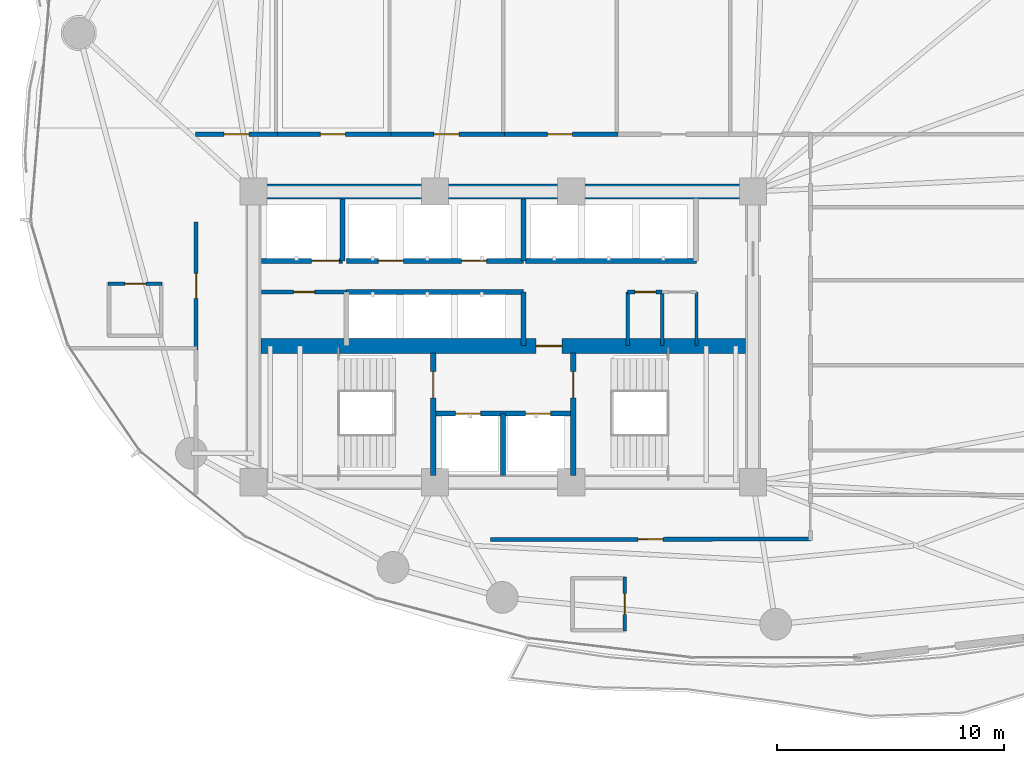
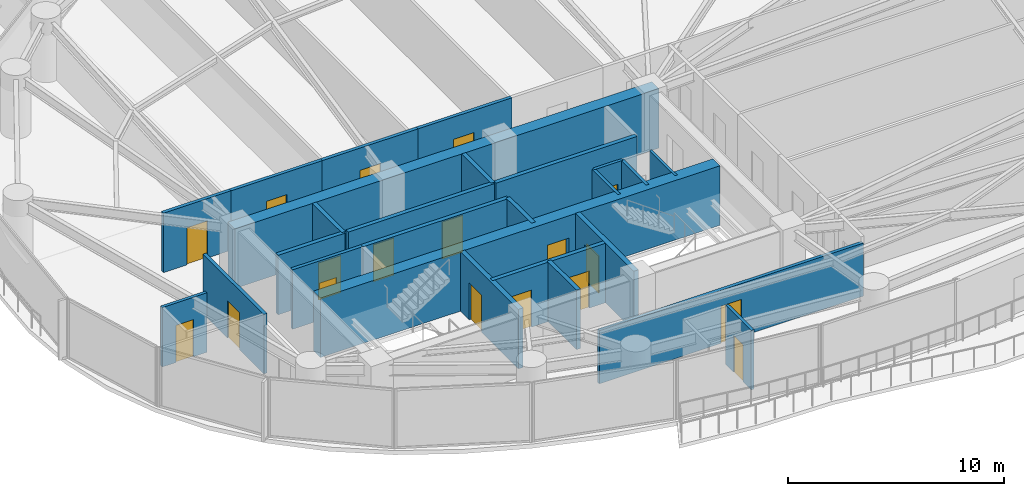
# One storey, part 25 of 30: 26 walls, 18 doors, 18 openings.
"""IFC4 building model written with IfcOpenShell, lengths in metres."""

from ifc_helpers import new_model, si_unit, direction, frame, frame_2d, origin, place, context, subcontext, project, spatial, rectangle, extrude, material, layer, layer_set, type_object, element, fill, save


model = new_model("IFC4")

# Units and contexts
model_context = context("Model", 3, precision=1e-05, world=origin(), true_north=direction((0.0, 1.0)))
body_context = subcontext(model_context, "Body", "Model", "MODEL_VIEW")
ifc_project = project(units=[si_unit("LENGTHUNIT", "METRE"), si_unit("AREAUNIT", "SQUARE_METRE"), si_unit("VOLUMEUNIT", "CUBIC_METRE"), si_unit("PLANEANGLEUNIT", "RADIAN"), si_unit("MASSUNIT", "GRAM", prefix="KILO")], contexts=[model_context])

# Site, building, storey
site_placement = place(None, origin())
site = spatial("IfcSite", under=ifc_project, at=site_placement, CompositionType="ELEMENT")
building_placement = place(site_placement, origin())
building = spatial("IfcBuilding", under=site, at=building_placement, Name="Kazevale Care Tower and Concert Hall", CompositionType="ELEMENT")
storey_placement = place(building_placement, frame((0.0, 0.0, 70.800048828125)))
storey = spatial("IfcBuildingStorey", under=building, at=storey_placement, Name="L18", CompositionType="ELEMENT", Elevation=70.800048828125)

# Walls
ifc_material_1 = material(Name="Acoustic Gypsum on Steel Stud", Category="steel")
ifc_layer_1 = layer(ifc_material_1, 0.139892578125)
ifc_layer_set_1 = layer_set([ifc_layer_1], Name="Acoustic Gypsum on Steel Stud")
wall_type_1 = type_object("IfcWallType", Name="Acoustic Care & Suite Partition 140", PredefinedType="PARTITIONING", material=ifc_layer_set_1)
wall_1_placement = place(storey_placement, frame((41.52001953125, 29.6201171875, 0.0), z_axis=(0.0, 0.0, 1.0), x_axis=(0.0, 1.0, 0.0)))
element("IfcWall", 1, at=wall_1_placement, inside=storey, type_object=wall_type_1, Name="wall:L18:ka_ee", PredefinedType="PARTITIONING", context=body_context, shape_type="SweptSolid", body=[
    extrude(rectangle(XDim=2.35986328125, YDim=0.139892578125, at=frame_2d((1.179931640625, 0.0))), origin(), (0.0, 0.0, 1.0), 3.35986328125),
])
ifc_material_2 = material(Name="Concrete C70", Category="concrete")
ifc_layer_2 = layer(ifc_material_2, 0.64990234375)
ifc_layer_set_2 = layer_set([ifc_layer_2], Name="Concrete C70")
wall_type_2 = type_object("IfcWallType", Name="Core Shear Wall 650 C70", PredefinedType="SHEAR", material=ifc_layer_set_2)
wall_2_placement = place(storey_placement, frame((21.675048828125, 36.39990234375, 0.0), z_axis=(0.0, 0.0, 1.0), x_axis=(1.0, 0.0, 0.0)))
element("IfcWall", 2, at=wall_2_placement, inside=storey, type_object=wall_type_2, Name="wall:L18:core:N", PredefinedType="SHEAR", context=body_context, shape_type="SweptSolid", body=[
    extrude(rectangle(XDim=22.64990234375, YDim=0.64990234375, at=frame_2d((11.324951171875, 0.0))), origin(), (0.0, 0.0, 1.0), 3.35986328125),
])

# Wall, opening, door
wall_3_placement = place(storey_placement, frame((22.324951171875, 29.60009765625, 0.0), z_axis=(0.0, 0.0, 1.0), x_axis=(1.0, 0.0, 0.0)))
wall_3 = element("IfcWall", 3, at=wall_3_placement, inside=storey, type_object=wall_type_2, Name="wall:L18:core:M", PredefinedType="SHEAR", context=body_context, shape_type="SweptSolid", body=[
    extrude(rectangle(XDim=21.35009765625, YDim=0.64990234375, at=frame_2d((10.675048828125, 0.0))), origin(), (0.0, 0.0, 1.0), 3.35986328125),
])
opening_1_placement = place(wall_3_placement, frame((12.125, 0.0, 0.0)))
opening_1 = element("IfcOpeningElement", 4, at=opening_1_placement, cuts=wall_3, Name="Opening FD-90", PredefinedType="OPENING", context=body_context, shape_type="SweptSolid", body=[
    extrude(rectangle(XDim=1.14990234375, YDim=2.10009765625, at=frame_2d((0.574951171875, 1.050048828125))), frame((0.0, 0.3349609375, 0.0), z_axis=(0.0, -1.0, 0.0), x_axis=(1.0, 0.0, 0.0)), (0.0, 0.0, 1.0), 0.669921875),
])
ifc_material_3 = material(Name="Steel ASTM A572 Gr 50", Category="steel")
door_type_1 = type_object("IfcDoorType", Name="Pressurized Stair & Lobby Fire Door 1150x2100", OperationType="NOTDEFINED", PredefinedType="DOOR", material=ifc_material_3)
door_1_placement = place(opening_1_placement, origin())
door_1 = element("IfcDoor", 5, at=door_1_placement, inside=storey, type_object=door_type_1, Name="door:L18:ff_to_pax", OperationType="SINGLE_SWING_LEFT", OverallHeight=2.10009765625, OverallWidth=1.14990234375, PredefinedType="DOOR", context=body_context, shape_type="SweptSolid", body=[
    extrude(rectangle(XDim=1.14990234375, YDim=2.10009765625, at=frame_2d((0.574951171875, 1.050048828125))), frame((0.0, 0.02490234375, 0.0), z_axis=(0.0, -1.0, 0.0), x_axis=(1.0, 0.0, 0.0)), (0.0, 0.0, 1.0), 0.050048828125),
])
fill(opening_1, door_1)

# Wall, openings, doors
ifc_material_4 = material(Name="Concrete C40", Category="concrete")
ifc_layer_3 = layer(ifc_material_4, 0.219970703125)
ifc_layer_set_3 = layer_set([ifc_layer_3], Name="Concrete C40")
wall_type_3 = type_object("IfcWallType", Name="Elevator Hoistway Shaft Wall 220", PredefinedType="SOLIDWALL", material=ifc_layer_set_3)
wall_4_placement = place(storey_placement, frame((29.919921875, 26.6201171875, 0.0), z_axis=(0.0, 0.0, 1.0), x_axis=(1.0, 0.0, 0.0)))
wall_4 = element("IfcWall", 6, at=wall_4_placement, inside=storey, type_object=wall_type_3, Name="wall:L18:c_ffl_n", PredefinedType="SOLIDWALL", context=body_context, shape_type="SweptSolid", body=[
    extrude(rectangle(XDim=6.16015625, YDim=0.219970703125, at=frame_2d((3.080078125, 0.0))), origin(), (0.0, 0.0, 1.0), 3.35986328125),
])
opening_2_placement = place(wall_4_placement, frame((0.989990234375, 0.0, 0.0)))
opening_2 = element("IfcOpeningElement", 7, at=opening_2_placement, cuts=wall_4, Name="Opening LD-FF", PredefinedType="OPENING", context=body_context, shape_type="SweptSolid", body=[
    extrude(rectangle(XDim=1.10009765625, YDim=2.10009765625, at=frame_2d((0.550048828125, 1.050048828125))), frame((0.0, 0.119873046875, 0.0), z_axis=(0.0, -1.0, 0.0), x_axis=(1.0, 0.0, 0.0)), (0.0, 0.0, 1.0), 0.239990234375),
])
opening_3_placement = place(wall_4_placement, frame((4.070068359375, 0.0, 0.0)))
opening_3 = element("IfcOpeningElement", 8, at=opening_3_placement, cuts=wall_4, Name="Opening LD-FF", PredefinedType="OPENING", context=body_context, shape_type="SweptSolid", body=[
    extrude(rectangle(XDim=1.10009765625, YDim=2.10009765625, at=frame_2d((0.550048828125, 1.050048828125))), frame((0.0, 0.119873046875, 0.0), z_axis=(0.0, -1.0, 0.0), x_axis=(1.0, 0.0, 0.0)), (0.0, 0.0, 1.0), 0.239990234375),
])
ifc_material_5 = material(Name="Stainless Steel 316", Category="steel")
door_type_2 = type_object("IfcDoorType", Name="Emergency Lift Sliding Landing Door 1100x2100", OperationType="NOTDEFINED", PredefinedType="DOOR", material=ifc_material_5)
door_2_placement = place(opening_2_placement, origin())
door_2 = element("IfcDoor", 9, at=door_2_placement, inside=storey, type_object=door_type_2, Name="door:L18:ld_ffl1", OperationType="SLIDING_TO_LEFT", OverallHeight=2.10009765625, OverallWidth=1.10009765625, PredefinedType="DOOR", context=body_context, shape_type="SweptSolid", body=[
    extrude(rectangle(XDim=1.10009765625, YDim=2.10009765625, at=frame_2d((0.550048828125, 1.050048828125))), frame((0.0, 0.02490234375, 0.0), z_axis=(0.0, -1.0, 0.0), x_axis=(1.0, 0.0, 0.0)), (0.0, 0.0, 1.0), 0.050048828125),
])
fill(opening_2, door_2)
door_3_placement = place(opening_3_placement, origin())
door_3 = element("IfcDoor", 10, at=door_3_placement, inside=storey, type_object=door_type_2, Name="door:L18:ld_ffl2", OperationType="SLIDING_TO_RIGHT", OverallHeight=2.10009765625, OverallWidth=1.10009765625, PredefinedType="DOOR", context=body_context, shape_type="SweptSolid", body=[
    extrude(rectangle(XDim=1.10009765625, YDim=2.10009765625, at=frame_2d((0.550048828125, 1.050048828125))), frame((0.0, 0.02490234375, 0.0), z_axis=(0.0, -1.0, 0.0), x_axis=(1.0, 0.0, 0.0)), (0.0, 0.0, 1.0), 0.050048828125),
])
fill(opening_3, door_3)

# Walls
wall_5_placement = place(storey_placement, frame((33.0, 23.89990234375, 0.0), z_axis=(0.0, 0.0, 1.0), x_axis=(0.0, 1.0, 0.0)))
element("IfcWall", 11, at=wall_5_placement, inside=storey, type_object=wall_type_3, Name="wall:L18:c_ffl_m", PredefinedType="SOLIDWALL", context=body_context, shape_type="SweptSolid", body=[
    extrude(rectangle(XDim=2.72021484375, YDim=0.219970703125, at=frame_2d((1.360107421875, 0.0))), origin(), (0.0, 0.0, 1.0), 3.35986328125),
])
wall_6_placement = place(storey_placement, frame((25.919921875, 33.35009765625, 0.0), z_axis=(0.0, 0.0, 1.0), x_axis=(0.0, 1.0, 0.0)))
element("IfcWall", 12, at=wall_6_placement, inside=storey, type_object=wall_type_3, Name="wall:L18:c_svl_e", PredefinedType="SOLIDWALL", context=body_context, shape_type="SweptSolid", body=[
    extrude(rectangle(XDim=2.72998046875, YDim=0.219970703125, at=frame_2d((1.364990234375, 0.0))), origin(), (0.0, 0.0, 1.0), 3.35986328125),
])

# Wall, opening, door
wall_7_placement = place(storey_placement, frame((22.35009765625, 33.35009765625, 0.0), z_axis=(0.0, 0.0, 1.0), x_axis=(1.0, 0.0, 0.0)))
wall_7 = element("IfcWall", 13, at=wall_7_placement, inside=storey, type_object=wall_type_3, Name="wall:L18:c_svl_s", PredefinedType="SOLIDWALL", context=body_context, shape_type="SweptSolid", body=[
    extrude(rectangle(XDim=3.56982421875, YDim=0.219970703125, at=frame_2d((1.784912109375, 0.0))), origin(), (0.0, 0.0, 1.0), 3.35986328125),
])
opening_4_placement = place(wall_7_placement, frame((2.212890625, 0.0, 0.0)))
opening_4 = element("IfcOpeningElement", 14, at=opening_4_placement, cuts=wall_7, Name="Opening LD-SV", PredefinedType="OPENING", context=body_context, shape_type="SweptSolid", body=[
    extrude(rectangle(XDim=1.199951171875, YDim=2.10009765625, at=frame_2d((0.60009765625, 1.050048828125))), frame((0.0, 0.119873046875, 0.0), z_axis=(0.0, -1.0, 0.0), x_axis=(1.0, 0.0, 0.0)), (0.0, 0.0, 1.0), 0.239990234375),
])
door_type_3 = type_object("IfcDoorType", Name="Service Lift Sliding Landing Door 1200x2100", OperationType="NOTDEFINED", PredefinedType="DOOR", material=ifc_material_5)
door_4_placement = place(opening_4_placement, origin())
door_4 = element("IfcDoor", 15, at=door_4_placement, inside=storey, type_object=door_type_3, Name="door:L18:ld_svl1", OperationType="SLIDING_TO_LEFT", OverallHeight=2.10009765625, OverallWidth=1.199951171875, PredefinedType="DOOR", context=body_context, shape_type="SweptSolid", body=[
    extrude(rectangle(XDim=1.199951171875, YDim=2.10009765625, at=frame_2d((0.60009765625, 1.050048828125))), frame((0.0, 0.02490234375, 0.0), z_axis=(0.0, -1.0, 0.0), x_axis=(1.0, 0.0, 0.0)), (0.0, 0.0, 1.0), 0.050048828125),
])
fill(opening_4, door_4)

# Walls
wall_8_placement = place(storey_placement, frame((26.10009765625, 31.97998046875, 0.0), z_axis=(0.0, 0.0, 1.0), x_axis=(1.0, 0.0, 0.0)))
element("IfcWall", 16, at=wall_8_placement, inside=storey, type_object=wall_type_3, Name="wall:L18:c_ph_n", PredefinedType="SOLIDWALL", context=body_context, shape_type="SweptSolid", body=[
    extrude(rectangle(XDim=7.7998046875, YDim=0.219970703125, at=frame_2d((3.89990234375, 0.0))), origin(), (0.0, 0.0, 1.0), 3.35986328125),
])
wall_9_placement = place(storey_placement, frame((33.89990234375, 29.6201171875, 0.0), z_axis=(0.0, 0.0, 1.0), x_axis=(0.0, 1.0, 0.0)))
element("IfcWall", 17, at=wall_9_placement, inside=storey, type_object=wall_type_3, Name="wall:L18:c_ph_e", PredefinedType="SOLIDWALL", context=body_context, shape_type="SweptSolid", body=[
    extrude(rectangle(XDim=2.35986328125, YDim=0.219970703125, at=frame_2d((1.179931640625, 0.0))), origin(), (0.0, 0.0, 1.0), 3.35986328125),
])

# Wall, openings, doors
wall_10_placement = place(storey_placement, frame((26.10009765625, 33.35009765625, 0.0), z_axis=(0.0, 0.0, 1.0), x_axis=(1.0, 0.0, 0.0)))
wall_10 = element("IfcWall", 18, at=wall_10_placement, inside=storey, type_object=wall_type_3, Name="wall:L18:c_pl_s", PredefinedType="SOLIDWALL", context=body_context, shape_type="SweptSolid", body=[
    extrude(rectangle(XDim=7.7998046875, YDim=0.219970703125, at=frame_2d((3.89990234375, 0.0))), origin(), (0.0, 0.0, 1.0), 3.35986328125),
])
opening_5_placement = place(wall_10_placement, frame((1.39990234375, 0.0, 0.0)))
opening_5 = element("IfcOpeningElement", 19, at=opening_5_placement, cuts=wall_10, Name="Opening LD-PAX", PredefinedType="OPENING", context=body_context, shape_type="SweptSolid", body=[
    extrude(rectangle(XDim=1.10009765625, YDim=2.10009765625, at=frame_2d((0.550048828125, 1.050048828125))), frame((0.0, 0.119873046875, 0.0), z_axis=(0.0, -1.0, 0.0), x_axis=(1.0, 0.0, 0.0)), (0.0, 0.0, 1.0), 0.239990234375),
])
opening_6_placement = place(wall_10_placement, frame((5.06591796875, 0.0, 0.0)))
opening_6 = element("IfcOpeningElement", 20, at=opening_6_placement, cuts=wall_10, Name="Opening LD-PAX", PredefinedType="OPENING", context=body_context, shape_type="SweptSolid", body=[
    extrude(rectangle(XDim=1.10009765625, YDim=2.10009765625, at=frame_2d((0.550048828125, 1.050048828125))), frame((0.0, 0.119873046875, 0.0), z_axis=(0.0, -1.0, 0.0), x_axis=(1.0, 0.0, 0.0)), (0.0, 0.0, 1.0), 0.239990234375),
])
door_type_4 = type_object("IfcDoorType", Name="Passenger Lift Sliding Landing Door 1100x2100", OperationType="NOTDEFINED", PredefinedType="DOOR", material=ifc_material_5)
door_5_placement = place(opening_5_placement, origin())
door_5 = element("IfcDoor", 21, at=door_5_placement, inside=storey, type_object=door_type_4, Name="door:L18:ld_pl1", OperationType="SLIDING_TO_LEFT", OverallHeight=2.10009765625, OverallWidth=1.10009765625, PredefinedType="DOOR", context=body_context, shape_type="SweptSolid", body=[
    extrude(rectangle(XDim=1.10009765625, YDim=2.10009765625, at=frame_2d((0.550048828125, 1.050048828125))), frame((0.0, 0.02490234375, 0.0), z_axis=(0.0, -1.0, 0.0), x_axis=(1.0, 0.0, 0.0)), (0.0, 0.0, 1.0), 0.050048828125),
])
fill(opening_5, door_5)
door_6_placement = place(opening_6_placement, origin())
door_6 = element("IfcDoor", 22, at=door_6_placement, inside=storey, type_object=door_type_4, Name="door:L18:ld_pl2", OperationType="SLIDING_TO_RIGHT", OverallHeight=2.10009765625, OverallWidth=1.10009765625, PredefinedType="DOOR", context=body_context, shape_type="SweptSolid", body=[
    extrude(rectangle(XDim=1.10009765625, YDim=2.10009765625, at=frame_2d((0.550048828125, 1.050048828125))), frame((0.0, 0.02490234375, 0.0), z_axis=(0.0, -1.0, 0.0), x_axis=(1.0, 0.0, 0.0)), (0.0, 0.0, 1.0), 0.050048828125),
])
fill(opening_6, door_6)

# Walls
wall_11_placement = place(storey_placement, frame((33.89990234375, 33.35009765625, 0.0), z_axis=(0.0, 0.0, 1.0), x_axis=(0.0, 1.0, 0.0)))
element("IfcWall", 23, at=wall_11_placement, inside=storey, type_object=wall_type_3, Name="wall:L18:c_pl_e", PredefinedType="SOLIDWALL", context=body_context, shape_type="SweptSolid", body=[
    extrude(rectangle(XDim=2.72998046875, YDim=0.219970703125, at=frame_2d((1.364990234375, 0.0))), origin(), (0.0, 0.0, 1.0), 3.35986328125),
])
wall_12_placement = place(storey_placement, frame((33.97998046875, 33.35009765625, 0.0), z_axis=(0.0, 0.0, 1.0), x_axis=(1.0, 0.0, 0.0)))
element("IfcWall", 24, at=wall_12_placement, inside=storey, type_object=wall_type_3, Name="wall:L18:c_pm_s", PredefinedType="SOLIDWALL", context=body_context, shape_type="SweptSolid", body=[
    extrude(rectangle(XDim=7.5400390625, YDim=0.219970703125, at=frame_2d((3.77001953125, 0.0))), origin(), (0.0, 0.0, 1.0), 3.35986328125),
])

# Wall, opening, door
ifc_material_6 = material(Name="Concrete C40 and Acoustic Gypsum", Category="concrete")
ifc_layer_4 = layer(ifc_material_6, 0.179931640625)
ifc_layer_set_4 = layer_set([ifc_layer_4], Name="Concrete C40 and Acoustic Gypsum")
wall_type_4 = type_object("IfcWallType", Name="Fire-Rated Corridor & Party Wall 180", PredefinedType="PARTITIONING", material=ifc_layer_set_4)
wall_13_placement = place(storey_placement, frame((22.35009765625, 31.97998046875, 0.0), z_axis=(0.0, 0.0, 1.0), x_axis=(1.0, 0.0, 0.0)))
wall_13 = element("IfcWall", 25, at=wall_13_placement, inside=storey, type_object=wall_type_4, Name="wall:L18:ka_wn1", PredefinedType="PARTITIONING", context=body_context, shape_type="SweptSolid", body=[
    extrude(rectangle(XDim=3.75, YDim=0.179931640625, at=frame_2d((1.875, 0.0))), origin(), (0.0, 0.0, 1.0), 3.35986328125),
])
opening_7_placement = place(wall_13_placement, frame((1.425048828125, 0.0, 0.0)))
opening_7 = element("IfcOpeningElement", 26, at=opening_7_placement, cuts=wall_13, Name="Opening ID-900", PredefinedType="OPENING", context=body_context, shape_type="SweptSolid", body=[
    extrude(rectangle(XDim=0.919921875, YDim=2.10009765625, at=frame_2d((0.4599609375, 1.050048828125))), frame((0.0, 0.099853515625, 0.0), z_axis=(0.0, -1.0, 0.0), x_axis=(1.0, 0.0, 0.0)), (0.0, 0.0, 1.0), 0.199951171875),
])
ifc_material_7 = material(Name="Oak Timber Fire Leaf", Category="wood")
door_type_5 = type_object("IfcDoorType", Name="Bathroom & Service Door 920x2100", OperationType="NOTDEFINED", PredefinedType="DOOR", material=ifc_material_7)
door_7_placement = place(opening_7_placement, origin())
door_7 = element("IfcDoor", 27, at=door_7_placement, inside=storey, type_object=door_type_5, Name="door:L18:d_kaw", OperationType="SINGLE_SWING_LEFT", OverallHeight=2.10009765625, OverallWidth=0.919921875, PredefinedType="DOOR", context=body_context, shape_type="SweptSolid", body=[
    extrude(rectangle(XDim=0.919921875, YDim=2.10009765625, at=frame_2d((0.4599609375, 1.050048828125))), frame((0.0, 0.02490234375, 0.0), z_axis=(0.0, -1.0, 0.0), x_axis=(1.0, 0.0, 0.0)), (0.0, 0.0, 1.0), 0.050048828125),
])
fill(opening_7, door_7)

wall_14_placement = place(storey_placement, frame((19.445068359375, 38.925048828125, 0.0), z_axis=(0.0, 0.0, 1.0), x_axis=(1.0, 0.0, 0.0)))
wall_14 = element("IfcWall", 28, at=wall_14_placement, inside=storey, type_object=wall_type_4, Name="wall:L18:auto_001", PredefinedType="PARTITIONING", context=body_context, shape_type="SweptSolid", body=[
    extrude(rectangle(XDim=3.619873046875, YDim=0.179931640625, at=frame_2d((1.81005859375, 0.0))), origin(), (0.0, 0.0, 1.0), 3.35986328125),
])
opening_8_placement = place(wall_14_placement, frame((1.260009765625, 0.0, 0.0)))
opening_8 = element("IfcOpeningElement", 29, at=opening_8_placement, cuts=wall_14, Name="Opening ID-1100", PredefinedType="OPENING", context=body_context, shape_type="SweptSolid", body=[
    extrude(rectangle(XDim=1.10009765625, YDim=2.10009765625, at=frame_2d((0.550048828125, 1.050048828125))), frame((0.0, 0.099853515625, 0.0), z_axis=(0.0, -1.0, 0.0), x_axis=(1.0, 0.0, 0.0)), (0.0, 0.0, 1.0), 0.199951171875),
])
door_type_6 = type_object("IfcDoorType", Name="Care Bedroom Accessible Door 1100x2100", OperationType="NOTDEFINED", PredefinedType="DOOR", material=ifc_material_7)
door_8_placement = place(opening_8_placement, origin())
door_8 = element("IfcDoor", 30, at=door_8_placement, inside=storey, type_object=door_type_6, Name="door:L18:ad_001", OperationType="SINGLE_SWING_LEFT", OverallHeight=2.10009765625, OverallWidth=1.10009765625, PredefinedType="DOOR", context=body_context, shape_type="SweptSolid", body=[
    extrude(rectangle(XDim=1.10009765625, YDim=2.10009765625, at=frame_2d((0.550048828125, 1.050048828125))), frame((0.0, 0.02490234375, 0.0), z_axis=(0.0, -1.0, 0.0), x_axis=(1.0, 0.0, 0.0)), (0.0, 0.0, 1.0), 0.050048828125),
])
fill(opening_8, door_8)

wall_15_placement = place(storey_placement, frame((22.93505859375, 38.925048828125, 0.0), z_axis=(0.0, 0.0, 1.0), x_axis=(1.0, 0.0, 0.0)))
wall_15 = element("IfcWall", 31, at=wall_15_placement, inside=storey, type_object=wall_type_4, Name="wall:L18:auto_002", PredefinedType="PARTITIONING", context=body_context, shape_type="SweptSolid", body=[
    extrude(rectangle(XDim=5.1298828125, YDim=0.179931640625, at=frame_2d((2.56494140625, 0.0))), origin(), (0.0, 0.0, 1.0), 3.35986328125),
])
opening_9_placement = place(wall_15_placement, frame((2.014892578125, 0.0, 0.0)))
opening_9 = element("IfcOpeningElement", 32, at=opening_9_placement, cuts=wall_15, Name="Opening ID-1100", PredefinedType="OPENING", context=body_context, shape_type="SweptSolid", body=[
    extrude(rectangle(XDim=1.10009765625, YDim=2.10009765625, at=frame_2d((0.550048828125, 1.050048828125))), frame((0.0, 0.099853515625, 0.0), z_axis=(0.0, -1.0, 0.0), x_axis=(1.0, 0.0, 0.0)), (0.0, 0.0, 1.0), 0.199951171875),
])
door_9_placement = place(opening_9_placement, origin())
door_9 = element("IfcDoor", 33, at=door_9_placement, inside=storey, type_object=door_type_6, Name="door:L18:ad_002", OperationType="SINGLE_SWING_LEFT", OverallHeight=2.10009765625, OverallWidth=1.10009765625, PredefinedType="DOOR", context=body_context, shape_type="SweptSolid", body=[
    extrude(rectangle(XDim=1.10009765625, YDim=2.10009765625, at=frame_2d((0.550048828125, 1.050048828125))), frame((0.0, 0.02490234375, 0.0), z_axis=(0.0, -1.0, 0.0), x_axis=(1.0, 0.0, 0.0)), (0.0, 0.0, 1.0), 0.050048828125),
])
fill(opening_9, door_9)

wall_16_placement = place(storey_placement, frame((27.93505859375, 38.925048828125, 0.0), z_axis=(0.0, 0.0, 1.0), x_axis=(1.0, 0.0, 0.0)))
wall_16 = element("IfcWall", 34, at=wall_16_placement, inside=storey, type_object=wall_type_4, Name="wall:L18:auto_003", PredefinedType="PARTITIONING", context=body_context, shape_type="SweptSolid", body=[
    extrude(rectangle(XDim=5.1298828125, YDim=0.179931640625, at=frame_2d((2.56494140625, 0.0))), origin(), (0.0, 0.0, 1.0), 3.35986328125),
])
opening_10_placement = place(wall_16_placement, frame((2.014892578125, 0.0, 0.0)))
opening_10 = element("IfcOpeningElement", 35, at=opening_10_placement, cuts=wall_16, Name="Opening ID-1100", PredefinedType="OPENING", context=body_context, shape_type="SweptSolid", body=[
    extrude(rectangle(XDim=1.10009765625, YDim=2.10009765625, at=frame_2d((0.550048828125, 1.050048828125))), frame((0.0, 0.099853515625, 0.0), z_axis=(0.0, -1.0, 0.0), x_axis=(1.0, 0.0, 0.0)), (0.0, 0.0, 1.0), 0.199951171875),
])
door_10_placement = place(opening_10_placement, origin())
door_10 = element("IfcDoor", 36, at=door_10_placement, inside=storey, type_object=door_type_6, Name="door:L18:ad_003", OperationType="SINGLE_SWING_LEFT", OverallHeight=2.10009765625, OverallWidth=1.10009765625, PredefinedType="DOOR", context=body_context, shape_type="SweptSolid", body=[
    extrude(rectangle(XDim=1.10009765625, YDim=2.10009765625, at=frame_2d((0.550048828125, 1.050048828125))), frame((0.0, 0.02490234375, 0.0), z_axis=(0.0, -1.0, 0.0), x_axis=(1.0, 0.0, 0.0)), (0.0, 0.0, 1.0), 0.050048828125),
])
fill(opening_10, door_10)

wall_17_placement = place(storey_placement, frame((32.93505859375, 38.925048828125, 0.0), z_axis=(0.0, 0.0, 1.0), x_axis=(1.0, 0.0, 0.0)))
wall_17 = element("IfcWall", 37, at=wall_17_placement, inside=storey, type_object=wall_type_4, Name="wall:L18:auto_004", PredefinedType="PARTITIONING", context=body_context, shape_type="SweptSolid", body=[
    extrude(rectangle(XDim=5.1298828125, YDim=0.179931640625, at=frame_2d((2.56494140625, 0.0))), origin(), (0.0, 0.0, 1.0), 3.35986328125),
])
opening_11_placement = place(wall_17_placement, frame((2.014892578125, 0.0, 0.0)))
opening_11 = element("IfcOpeningElement", 38, at=opening_11_placement, cuts=wall_17, Name="Opening ID-1100", PredefinedType="OPENING", context=body_context, shape_type="SweptSolid", body=[
    extrude(rectangle(XDim=1.10009765625, YDim=2.10009765625, at=frame_2d((0.550048828125, 1.050048828125))), frame((0.0, 0.099853515625, 0.0), z_axis=(0.0, -1.0, 0.0), x_axis=(1.0, 0.0, 0.0)), (0.0, 0.0, 1.0), 0.199951171875),
])
door_11_placement = place(opening_11_placement, origin())
door_11 = element("IfcDoor", 39, at=door_11_placement, inside=storey, type_object=door_type_6, Name="door:L18:ad_004", OperationType="SINGLE_SWING_LEFT", OverallHeight=2.10009765625, OverallWidth=1.10009765625, PredefinedType="DOOR", context=body_context, shape_type="SweptSolid", body=[
    extrude(rectangle(XDim=1.10009765625, YDim=2.10009765625, at=frame_2d((0.550048828125, 1.050048828125))), frame((0.0, 0.02490234375, 0.0), z_axis=(0.0, -1.0, 0.0), x_axis=(1.0, 0.0, 0.0)), (0.0, 0.0, 1.0), 0.050048828125),
])
fill(opening_11, door_11)

wall_18_placement = place(storey_placement, frame((46.554931640625, 21.10009765625, 0.0), z_axis=(0.0, 0.0, 1.0), x_axis=(-0.999998414151, -0.001780925679, 0.0)))
wall_18 = element("IfcWall", 40, at=wall_18_placement, inside=storey, type_object=wall_type_4, Name="wall:L18:auto_013", PredefinedType="PARTITIONING", context=body_context, shape_type="SweptSolid", body=[
    extrude(rectangle(XDim=14.119873046875, YDim=0.179931640625, at=frame_2d((7.06005859375, 0.0))), origin(), (0.0, 0.0, 1.0), 2.995849609375),
])
opening_12_placement = place(wall_18_placement, frame((6.510009765625, 0.0, 0.0)))
opening_12 = element("IfcOpeningElement", 41, at=opening_12_placement, cuts=wall_18, Name="Opening ID-1100", PredefinedType="OPENING", context=body_context, shape_type="SweptSolid", body=[
    extrude(rectangle(XDim=1.10009765625, YDim=2.10009765625, at=frame_2d((0.550048828125, 1.050048828125))), frame((0.0, 0.099853515625, 0.0), z_axis=(0.0, -1.0, 0.0), x_axis=(1.0, 0.0, 0.0)), (0.0, 0.0, 1.0), 0.199951171875),
])
door_12_placement = place(opening_12_placement, origin())
door_12 = element("IfcDoor", 42, at=door_12_placement, inside=storey, type_object=door_type_6, Name="door:L18:ad_013", OperationType="SINGLE_SWING_LEFT", OverallHeight=2.10009765625, OverallWidth=1.10009765625, PredefinedType="DOOR", context=body_context, shape_type="SweptSolid", body=[
    extrude(rectangle(XDim=1.10009765625, YDim=2.10009765625, at=frame_2d((0.550048828125, 1.050048828125))), frame((0.0, 0.02490234375, 0.0), z_axis=(0.0, -1.0, 0.0), x_axis=(1.0, 0.0, 0.0)), (0.0, 0.0, 1.0), 0.050048828125),
])
fill(opening_12, door_12)

wall_19_placement = place(storey_placement, frame((19.47509765625, 29.43505859375, 0.0), z_axis=(0.0, 0.0, 1.0), x_axis=(0.0, 1.0, 0.0)))
wall_19 = element("IfcWall", 43, at=wall_19_placement, inside=storey, type_object=wall_type_4, Name="wall:L18:auto_015", PredefinedType="PARTITIONING", context=body_context, shape_type="SweptSolid", body=[
    extrude(rectangle(XDim=5.6298828125, YDim=0.179931640625, at=frame_2d((2.81494140625, 0.0))), origin(), (0.0, 0.0, 1.0), 3.35986328125),
])
opening_13_placement = place(wall_19_placement, frame((2.264892578125, 0.0, 0.0)))
opening_13 = element("IfcOpeningElement", 44, at=opening_13_placement, cuts=wall_19, Name="Opening ID-1100", PredefinedType="OPENING", context=body_context, shape_type="SweptSolid", body=[
    extrude(rectangle(XDim=1.10009765625, YDim=2.10009765625, at=frame_2d((0.550048828125, 1.050048828125))), frame((0.0, 0.099853515625, 0.0), z_axis=(0.0, -1.0, 0.0), x_axis=(1.0, 0.0, 0.0)), (0.0, 0.0, 1.0), 0.199951171875),
])
door_13_placement = place(opening_13_placement, origin())
door_13 = element("IfcDoor", 45, at=door_13_placement, inside=storey, type_object=door_type_6, Name="door:L18:ad_015", OperationType="SINGLE_SWING_LEFT", OverallHeight=2.10009765625, OverallWidth=1.10009765625, PredefinedType="DOOR", context=body_context, shape_type="SweptSolid", body=[
    extrude(rectangle(XDim=1.10009765625, YDim=2.10009765625, at=frame_2d((0.550048828125, 1.050048828125))), frame((0.0, 0.02490234375, 0.0), z_axis=(0.0, -1.0, 0.0), x_axis=(1.0, 0.0, 0.0)), (0.0, 0.0, 1.0), 0.050048828125),
])
fill(opening_13, door_13)

# Walls
ifc_layer_5 = layer(ifc_material_1, 0.159912109375)
ifc_layer_set_5 = layer_set([ifc_layer_5], Name="Acoustic Gypsum on Steel Stud")
wall_type_5 = type_object("IfcWallType", Name="Moisture-Resistant Bathroom Plumbing Wall 160", PredefinedType="PLUMBINGWALL", material=ifc_layer_set_5)
for number, where, z_axis, x_axis, name in (
    (46, (38.47998046875, 29.6201171875, 0.0), (0.0, 0.0, 1.0), (0.0, 1.0, 0.0), "wall:L18:ka_ew"),
    (47, (40.0, 29.6201171875, 0.0), (0.0, 0.0, 1.0), (0.0, 1.0, 0.0), "wall:L18:ka_em"),
):
    element("IfcWall", number, at=place(storey_placement, frame(where, z_axis=z_axis, x_axis=x_axis)), inside=storey, type_object=wall_type_5, Name=name, PredefinedType="PLUMBINGWALL", context=body_context, shape_type="SweptSolid", body=[
        extrude(rectangle(XDim=2.35986328125, YDim=0.159912109375, at=frame_2d((1.179931640625, 0.0))), origin(), (0.0, 0.0, 1.0), 3.35986328125),
    ])

# Wall, opening, door
wall_20_placement = place(storey_placement, frame((38.47998046875, 31.97998046875, 0.0), z_axis=(0.0, 0.0, 1.0), x_axis=(1.0, 0.0, 0.0)))
wall_20 = element("IfcWall", 48, at=wall_20_placement, inside=storey, type_object=wall_type_5, Name="wall:L18:ka_en1", PredefinedType="PLUMBINGWALL", context=body_context, shape_type="SweptSolid", body=[
    extrude(rectangle(XDim=1.52001953125, YDim=0.159912109375, at=frame_2d((0.760009765625, 0.0))), origin(), (0.0, 0.0, 1.0), 3.35986328125),
])
opening_14_placement = place(wall_20_placement, frame((0.320068359375, 0.0, 0.0)))
opening_14 = element("IfcOpeningElement", 49, at=opening_14_placement, cuts=wall_20, Name="Opening ID-900", PredefinedType="OPENING", context=body_context, shape_type="SweptSolid", body=[
    extrude(rectangle(XDim=0.919921875, YDim=2.10009765625, at=frame_2d((0.4599609375, 1.050048828125))), frame((0.0, 0.08984375, 0.0), z_axis=(0.0, -1.0, 0.0), x_axis=(1.0, 0.0, 0.0)), (0.0, 0.0, 1.0), 0.179931640625),
])
door_14_placement = place(opening_14_placement, origin())
door_14 = element("IfcDoor", 50, at=door_14_placement, inside=storey, type_object=door_type_5, Name="door:L18:d_kae1", OperationType="SINGLE_SWING_LEFT", OverallHeight=2.10009765625, OverallWidth=0.919921875, PredefinedType="DOOR", context=body_context, shape_type="SweptSolid", body=[
    extrude(rectangle(XDim=0.919921875, YDim=2.10009765625, at=frame_2d((0.4599609375, 1.050048828125))), frame((0.0, 0.02490234375, 0.0), z_axis=(0.0, -1.0, 0.0), x_axis=(1.0, 0.0, 0.0)), (0.0, 0.0, 1.0), 0.050048828125),
])
fill(opening_14, door_14)

wall_21_placement = place(storey_placement, frame((38.35009765625, 17.0400390625, 0.0), z_axis=(0.0, 0.0, 1.0), x_axis=(0.0, 1.0, 0.0)))
wall_21 = element("IfcWall", 51, at=wall_21_placement, inside=storey, type_object=wall_type_5, Name="wall:L18:sb2_ens_we", PredefinedType="PLUMBINGWALL", context=body_context, shape_type="SweptSolid", body=[
    extrude(rectangle(XDim=2.3798828125, YDim=0.159912109375, at=frame_2d((1.18994140625, 0.0))), origin(), (0.0, 0.0, 1.0), 3.35986328125),
])
opening_15_placement = place(wall_21_placement, frame((0.739990234375, 0.0, 0.0)))
opening_15 = element("IfcOpeningElement", 52, at=opening_15_placement, cuts=wall_21, Name="Opening ID-900", PredefinedType="OPENING", context=body_context, shape_type="SweptSolid", body=[
    extrude(rectangle(XDim=0.919921875, YDim=2.10009765625, at=frame_2d((0.4599609375, 1.050048828125))), frame((0.0, 0.08984375, 0.0), z_axis=(0.0, -1.0, 0.0), x_axis=(1.0, 0.0, 0.0)), (0.0, 0.0, 1.0), 0.179931640625),
])
door_15_placement = place(opening_15_placement, origin())
door_15 = element("IfcDoor", 53, at=door_15_placement, inside=storey, type_object=door_type_5, Name="door:L18:sb2_ens_d", OperationType="SINGLE_SWING_LEFT", OverallHeight=2.10009765625, OverallWidth=0.919921875, PredefinedType="DOOR", context=body_context, shape_type="SweptSolid", body=[
    extrude(rectangle(XDim=0.919921875, YDim=2.10009765625, at=frame_2d((0.4599609375, 1.050048828125))), frame((0.0, 0.02490234375, 0.0), z_axis=(0.0, -1.0, 0.0), x_axis=(1.0, 0.0, 0.0)), (0.0, 0.0, 1.0), 0.050048828125),
])
fill(opening_15, door_15)

wall_22_placement = place(storey_placement, frame((15.60205078125, 32.35009765625, 0.0), z_axis=(0.0, 0.0, 1.0), x_axis=(1.0, 0.0, 0.0)))
wall_22 = element("IfcWall", 54, at=wall_22_placement, inside=storey, type_object=wall_type_5, Name="wall:L18:wb3_ens_wn", PredefinedType="PLUMBINGWALL", context=body_context, shape_type="SweptSolid", body=[
    extrude(rectangle(XDim=2.3798828125, YDim=0.159912109375, at=frame_2d((1.18994140625, 0.0))), origin(), (0.0, 0.0, 1.0), 3.35986328125),
])
opening_16_placement = place(wall_22_placement, frame((0.739990234375, 0.0, 0.0)))
opening_16 = element("IfcOpeningElement", 55, at=opening_16_placement, cuts=wall_22, Name="Opening ID-900", PredefinedType="OPENING", context=body_context, shape_type="SweptSolid", body=[
    extrude(rectangle(XDim=0.919921875, YDim=2.10009765625, at=frame_2d((0.4599609375, 1.050048828125))), frame((0.0, 0.08984375, 0.0), z_axis=(0.0, -1.0, 0.0), x_axis=(1.0, 0.0, 0.0)), (0.0, 0.0, 1.0), 0.179931640625),
])
door_16_placement = place(opening_16_placement, origin())
door_16 = element("IfcDoor", 56, at=door_16_placement, inside=storey, type_object=door_type_5, Name="door:L18:wb3_ens_d", OperationType="SINGLE_SWING_LEFT", OverallHeight=2.10009765625, OverallWidth=0.919921875, PredefinedType="DOOR", context=body_context, shape_type="SweptSolid", body=[
    extrude(rectangle(XDim=0.919921875, YDim=2.10009765625, at=frame_2d((0.4599609375, 1.050048828125))), frame((0.0, 0.02490234375, 0.0), z_axis=(0.0, -1.0, 0.0), x_axis=(1.0, 0.0, 0.0)), (0.0, 0.0, 1.0), 0.050048828125),
])
fill(opening_16, door_16)

ifc_layer_6 = layer(ifc_material_4, 0.25)
ifc_layer_set_6 = layer_set([ifc_layer_6], Name="Concrete C40")
wall_type_6 = type_object("IfcWallType", Name="Pressurized Stair Shaft Wall 250", PredefinedType="SOLIDWALL", material=ifc_layer_set_6)
wall_23_placement = place(storey_placement, frame((29.919921875, 23.89990234375, 0.0), z_axis=(0.0, 0.0, 1.0), x_axis=(0.0, 1.0, 0.0)))
wall_23 = element("IfcWall", 57, at=wall_23_placement, inside=storey, type_object=wall_type_6, Name="wall:L18:c_st1_e", PredefinedType="SOLIDWALL", context=body_context, shape_type="SweptSolid", body=[
    extrude(rectangle(XDim=5.400146484375, YDim=0.25, at=frame_2d((2.7001953125, 0.0))), origin(), (0.0, 0.0, 1.0), 3.35986328125),
])
opening_17_placement = place(wall_23_placement, frame((3.4208984375, 0.0, 0.0)))
opening_17 = element("IfcOpeningElement", 58, at=opening_17_placement, cuts=wall_23, Name="Opening FD-90", PredefinedType="OPENING", context=body_context, shape_type="SweptSolid", body=[
    extrude(rectangle(XDim=1.14990234375, YDim=2.10009765625, at=frame_2d((0.574951171875, 1.050048828125))), frame((0.0, 0.135009765625, 0.0), z_axis=(0.0, -1.0, 0.0), x_axis=(1.0, 0.0, 0.0)), (0.0, 0.0, 1.0), 0.27001953125),
])
door_17_placement = place(opening_17_placement, origin())
door_17 = element("IfcDoor", 59, at=door_17_placement, inside=storey, type_object=door_type_1, Name="door:L18:st1", OperationType="SINGLE_SWING_RIGHT", OverallHeight=2.10009765625, OverallWidth=1.14990234375, PredefinedType="DOOR", context=body_context, shape_type="SweptSolid", body=[
    extrude(rectangle(XDim=1.14990234375, YDim=2.10009765625, at=frame_2d((0.574951171875, 1.050048828125))), frame((0.0, 0.02490234375, 0.0), z_axis=(0.0, -1.0, 0.0), x_axis=(1.0, 0.0, 0.0)), (0.0, 0.0, 1.0), 0.050048828125),
])
fill(opening_17, door_17)

wall_24_placement = place(storey_placement, frame((36.080078125, 23.89990234375, 0.0), z_axis=(0.0, 0.0, 1.0), x_axis=(0.0, 1.0, 0.0)))
wall_24 = element("IfcWall", 60, at=wall_24_placement, inside=storey, type_object=wall_type_6, Name="wall:L18:c_st2_w", PredefinedType="SOLIDWALL", context=body_context, shape_type="SweptSolid", body=[
    extrude(rectangle(XDim=5.400146484375, YDim=0.25, at=frame_2d((2.7001953125, 0.0))), origin(), (0.0, 0.0, 1.0), 3.35986328125),
])
opening_18_placement = place(wall_24_placement, frame((3.4208984375, 0.0, 0.0)))
opening_18 = element("IfcOpeningElement", 61, at=opening_18_placement, cuts=wall_24, Name="Opening FD-90", PredefinedType="OPENING", context=body_context, shape_type="SweptSolid", body=[
    extrude(rectangle(XDim=1.14990234375, YDim=2.10009765625, at=frame_2d((0.574951171875, 1.050048828125))), frame((0.0, 0.135009765625, 0.0), z_axis=(0.0, -1.0, 0.0), x_axis=(1.0, 0.0, 0.0)), (0.0, 0.0, 1.0), 0.27001953125),
])
door_18_placement = place(opening_18_placement, origin())
door_18 = element("IfcDoor", 62, at=door_18_placement, inside=storey, type_object=door_type_1, Name="door:L18:st2", OperationType="SINGLE_SWING_LEFT", OverallHeight=2.10009765625, OverallWidth=1.14990234375, PredefinedType="DOOR", context=body_context, shape_type="SweptSolid", body=[
    extrude(rectangle(XDim=1.14990234375, YDim=2.10009765625, at=frame_2d((0.574951171875, 1.050048828125))), frame((0.0, 0.02490234375, 0.0), z_axis=(0.0, -1.0, 0.0), x_axis=(1.0, 0.0, 0.0)), (0.0, 0.0, 1.0), 0.050048828125),
])
fill(opening_18, door_18)

save(model, "model.ifc")
